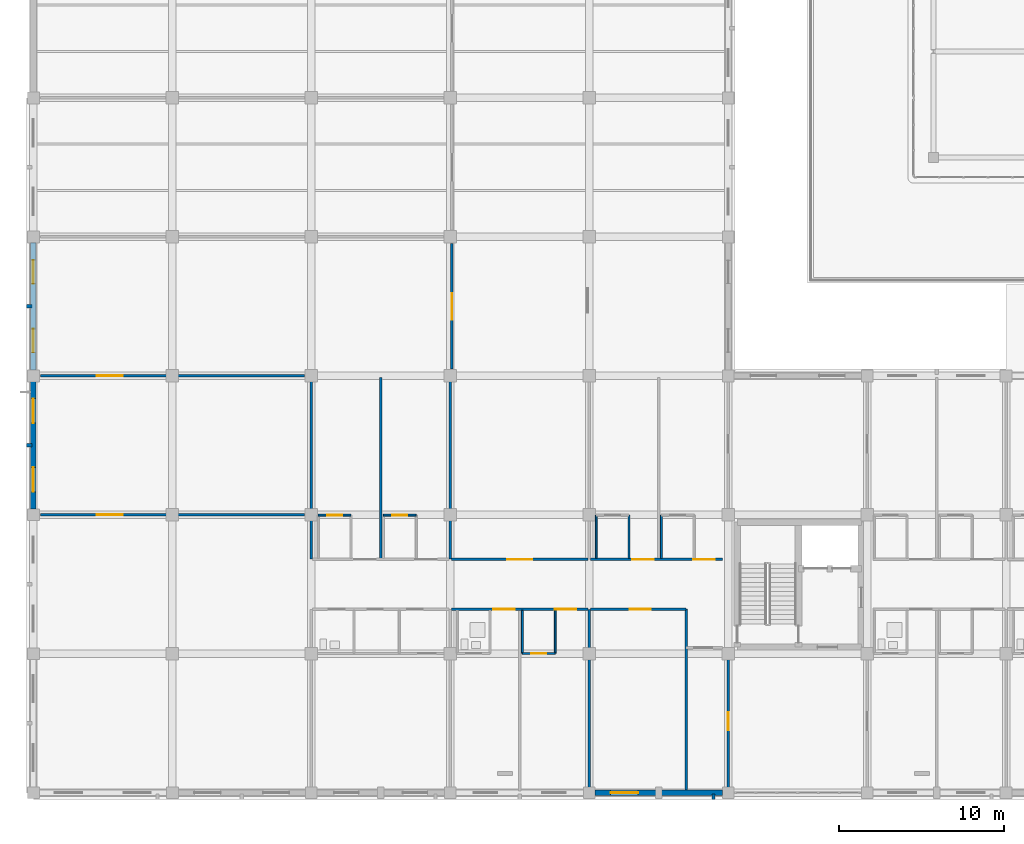
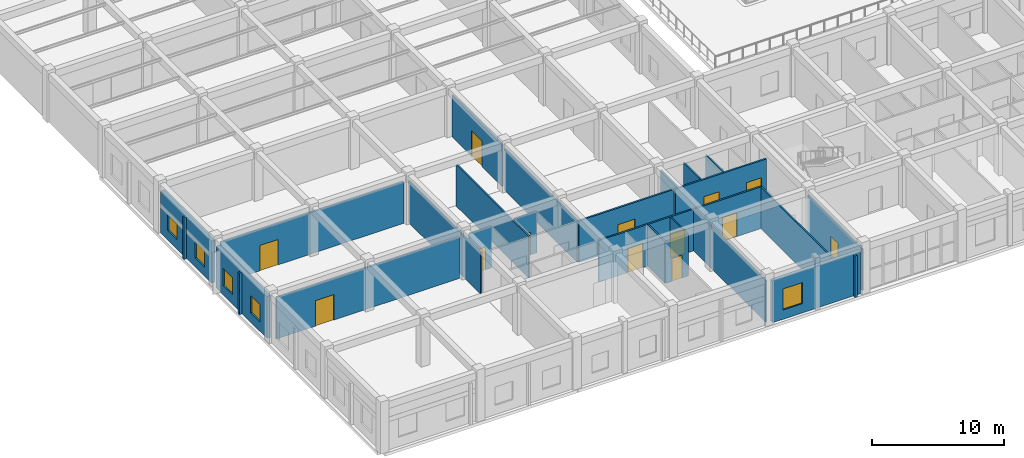
# One storey, part 115 of 158: 27 walls, 13 doors, 5 windows, 18 openings.
"""IFC4 building model written with IfcOpenShell, lengths in metres."""

from ifc_helpers import new_model, si_unit, direction, frame, frame_2d, origin, place, context, subcontext, project, spatial, rectangle, extrude, material, layer, layer_set, type_object, element, fill, save


model = new_model("IFC4")

# Units and contexts
model_context = context("Model", 3, precision=1e-05, world=origin(), true_north=direction((0.0, 1.0)))
body_context = subcontext(model_context, "Body", "Model", "MODEL_VIEW")
ifc_project = project(units=[si_unit("LENGTHUNIT", "METRE"), si_unit("AREAUNIT", "SQUARE_METRE"), si_unit("VOLUMEUNIT", "CUBIC_METRE"), si_unit("PLANEANGLEUNIT", "RADIAN"), si_unit("MASSUNIT", "GRAM", prefix="KILO")], contexts=[model_context])

# Site, building, storey
site_placement = place(None, origin())
site = spatial("IfcSite", under=ifc_project, at=site_placement, CompositionType="ELEMENT")
building_placement = place(site_placement, origin())
building = spatial("IfcBuilding", under=site, at=building_placement, Name="Trelvath General Hospital", CompositionType="ELEMENT")
storey_placement = place(building_placement, frame((0.0, 0.0, 8.10009765625)))
storey = spatial("IfcBuildingStorey", under=building, at=storey_placement, Name="L02", CompositionType="ELEMENT", Elevation=8.10009765625)

# Walls
ifc_material_1 = material(Name="Precast concrete C40/50", Category="concrete")
ifc_layer_1 = layer(ifc_material_1, 0.199951171875)
ifc_layer_set_1 = layer_set([ifc_layer_1], Name="Precast concrete C40/50")
wall_type_1 = type_object("IfcWallType", Name="BriseSoleilRib 200", PredefinedType="ELEMENTEDWALL", material=ifc_layer_set_1)
for number, where, z_axis, x_axis, name in (
    (1, (-0.074951171875, 21.0, 0.0), (0.0, 0.0, 1.0), (-1.0, 0.0, 0.0), "Precast Concrete Brise-Soleil Rib Fin L02-162"),
    (2, (-0.074951171875, 29.39990234375, 0.0), (0.0, 0.0, 1.0), (-1.0, 0.0, 0.0), "Precast Concrete Brise-Soleil Rib Fin L02-163"),
    (3, (41.106689453125, -0.074951171875, 0.0), (0.0, 0.0, 1.0), (0.0, -1.0, 0.0), "Precast Concrete Brise-Soleil Rib Fin L02-179"),
):
    element("IfcWall", number, at=place(storey_placement, frame(where, z_axis=z_axis, x_axis=x_axis)), inside=storey, type_object=wall_type_1, Name=name, PredefinedType="ELEMENTEDWALL", context=body_context, shape_type="SweptSolid", body=[
        extrude(rectangle(XDim=0.340087890625, YDim=0.199951171875, at=frame_2d((0.169921875, 0.0))), origin(), (0.0, 0.0, 1.0), 3.83984375),
    ])

# Wall, openings, doors
ifc_material_2 = material(Name="Gypsum acoustic steel-stud partition", Category="steel")
ifc_layer_2 = layer(ifc_material_2, 0.14990234375)
ifc_layer_set_2 = layer_set([ifc_layer_2], Name="Gypsum acoustic steel-stud partition")
wall_type_2 = type_object("IfcWallType", Name="ClinicalPartition 150", PredefinedType="PARTITIONING", material=ifc_layer_set_2)
wall_1_placement = place(storey_placement, frame((25.280029296875, 11.10009765625, 0.0), z_axis=(0.0, 0.0, 1.0), x_axis=(1.0, 0.0, 0.0)))
wall_1 = element("IfcWall", 4, at=wall_1_placement, inside=storey, type_object=wall_type_2, Name="Corridor Partition L02-692", PredefinedType="PARTITIONING", context=body_context, shape_type="SweptSolid", body=[
    extrude(rectangle(XDim=8.239990234375, YDim=0.14990234375, at=frame_2d((4.1201171875, 0.0))), origin(), (0.0, 0.0, 1.0), 3.83984375),
])
opening_1_placement = place(wall_1_placement, frame((2.530029296875, 0.0, 0.0)))
opening_1 = element("IfcOpeningElement", 5, at=opening_1_placement, cuts=wall_1, Name="Opening D-2-0634", PredefinedType="OPENING", context=body_context, shape_type="SweptSolid", body=[
    extrude(rectangle(XDim=1.300048828125, YDim=2.25, at=frame_2d((0.64990234375, 1.125))), frame((0.0, 0.0849609375, 0.0), z_axis=(0.0, -1.0, 0.0), x_axis=(1.0, 0.0, 0.0)), (0.0, 0.0, 1.0), 0.169921875),
])
opening_2_placement = place(wall_1_placement, frame((6.22998046875, 0.0, 0.0)))
opening_2 = element("IfcOpeningElement", 6, at=opening_2_placement, cuts=wall_1, Name="Opening D-2-0635", PredefinedType="OPENING", context=body_context, shape_type="SweptSolid", body=[
    extrude(rectangle(XDim=1.300048828125, YDim=2.25, at=frame_2d((0.64990234375, 1.125))), frame((0.0, 0.0849609375, 0.0), z_axis=(0.0, -1.0, 0.0), x_axis=(1.0, 0.0, 0.0)), (0.0, 0.0, 1.0), 0.169921875),
])
ifc_material_3 = material(Name="Hospital bed-leaf timber door", Category="wood")
door_type_1 = type_object("IfcDoorType", Name="Door PatientBed 1300x2250", OperationType="NOTDEFINED", PredefinedType="DOOR", material=ifc_material_3)
door_1_placement = place(opening_1_placement, origin())
door_1 = element("IfcDoor", 7, at=door_1_placement, inside=storey, type_object=door_type_1, Name="Patient Room Door L02-634", OperationType="SINGLE_SWING_LEFT", OverallHeight=2.25, OverallWidth=1.300048828125, PredefinedType="DOOR", context=body_context, shape_type="SweptSolid", body=[
    extrude(rectangle(XDim=1.300048828125, YDim=2.25, at=frame_2d((0.64990234375, 1.125))), frame((0.0, 0.02490234375, 0.0), z_axis=(0.0, -1.0, 0.0), x_axis=(1.0, 0.0, 0.0)), (0.0, 0.0, 1.0), 0.050048828125),
])
fill(opening_1, door_1)
door_2_placement = place(opening_2_placement, origin())
door_2 = element("IfcDoor", 8, at=door_2_placement, inside=storey, type_object=door_type_1, Name="Patient Room Door L02-635", OperationType="SINGLE_SWING_RIGHT", OverallHeight=2.25, OverallWidth=1.300048828125, PredefinedType="DOOR", context=body_context, shape_type="SweptSolid", body=[
    extrude(rectangle(XDim=1.300048828125, YDim=2.25, at=frame_2d((0.64990234375, 1.125))), frame((0.0, 0.02490234375, 0.0), z_axis=(0.0, -1.0, 0.0), x_axis=(1.0, 0.0, 0.0)), (0.0, 0.0, 1.0), 0.050048828125),
])
fill(opening_2, door_2)

# Wall, opening, door
wall_2_placement = place(storey_placement, frame((33.52001953125, 14.10009765625, 0.0), z_axis=(0.0, 0.0, 1.0), x_axis=(-1.0, 0.0, 0.0)))
wall_2 = element("IfcWall", 9, at=wall_2_placement, inside=storey, type_object=wall_type_2, Name="Corridor Partition N L02-701", PredefinedType="PARTITIONING", context=body_context, shape_type="SweptSolid", body=[
    extrude(rectangle(XDim=8.239990234375, YDim=0.14990234375, at=frame_2d((4.1201171875, 0.0))), origin(), (0.0, 0.0, 1.0), 3.83984375),
])
opening_3_placement = place(wall_2_placement, frame((3.3701171875, 0.0, 0.0)))
opening_3 = element("IfcOpeningElement", 10, at=opening_3_placement, cuts=wall_2, Name="Opening D-2-0638", PredefinedType="OPENING", context=body_context, shape_type="SweptSolid", body=[
    extrude(rectangle(XDim=1.5, YDim=2.300048828125, at=frame_2d((0.75, 1.14990234375))), frame((0.0, 0.0849609375, 0.0), z_axis=(0.0, -1.0, 0.0), x_axis=(1.0, 0.0, 0.0)), (0.0, 0.0, 1.0), 0.169921875),
])
ifc_material_4 = material(Name="Glazed aluminium ICU sliding door", Category="aluminium")
door_type_2 = type_object("IfcDoorType", Name="Door ICUSliding 1500x2300", OperationType="SLIDING_TO_LEFT", PredefinedType="DOOR", material=ifc_material_4)
door_3_placement = place(opening_3_placement, origin())
door_3 = element("IfcDoor", 11, at=door_3_placement, inside=storey, type_object=door_type_2, Name="Clinical Room Door L02-638", OperationType="SLIDING_TO_LEFT", OverallHeight=2.300048828125, OverallWidth=1.5, PredefinedType="DOOR", context=body_context, shape_type="SweptSolid", body=[
    extrude(rectangle(XDim=1.5, YDim=2.300048828125, at=frame_2d((0.75, 1.14990234375))), frame((0.0, 0.02490234375, 0.0), z_axis=(0.0, -1.0, 0.0), x_axis=(1.0, 0.0, 0.0)), (0.0, 0.0, 1.0), 0.050048828125),
])
fill(opening_3, door_3)

wall_3_placement = place(storey_placement, frame((33.679931640625, 11.10009765625, 0.0), z_axis=(0.0, 0.0, 1.0), x_axis=(1.0, 0.0, 0.0)))
wall_3 = element("IfcWall", 12, at=wall_3_placement, inside=storey, type_object=wall_type_2, Name="Nurse Station Partition L02-704", PredefinedType="PARTITIONING", context=body_context, shape_type="SweptSolid", body=[
    extrude(rectangle(XDim=5.780029296875, YDim=0.14990234375, at=frame_2d((2.89013671875, 0.0))), origin(), (0.0, 0.0, 1.0), 3.83984375),
])
opening_4_placement = place(wall_3_placement, frame((2.3798828125, 0.0, 0.0)))
opening_4 = element("IfcOpeningElement", 13, at=opening_4_placement, cuts=wall_3, Name="Opening D-2-0639", PredefinedType="OPENING", context=body_context, shape_type="SweptSolid", body=[
    extrude(rectangle(XDim=1.25, YDim=2.199951171875, at=frame_2d((0.625, 1.10009765625))), frame((0.0, 0.0849609375, 0.0), z_axis=(0.0, -1.0, 0.0), x_axis=(1.0, 0.0, 0.0)), (0.0, 0.0, 1.0), 0.169921875),
])
ifc_material_5 = material(Name="Acoustic hospital timber leaf", Category="wood")
door_type_3 = type_object("IfcDoorType", Name="Door Treatment 1250x2200", OperationType="NOTDEFINED", PredefinedType="DOOR", material=ifc_material_5)
door_4_placement = place(opening_4_placement, origin())
door_4 = element("IfcDoor", 14, at=door_4_placement, inside=storey, type_object=door_type_3, Name="Nurse Station Door L02-639", OperationType="SINGLE_SWING_LEFT", OverallHeight=2.199951171875, OverallWidth=1.25, PredefinedType="DOOR", context=body_context, shape_type="SweptSolid", body=[
    extrude(rectangle(XDim=1.25, YDim=2.199951171875, at=frame_2d((0.625, 1.10009765625))), frame((0.0, 0.02490234375, 0.0), z_axis=(0.0, -1.0, 0.0), x_axis=(1.0, 0.0, 0.0)), (0.0, 0.0, 1.0), 0.050048828125),
])
fill(opening_4, door_4)

# Wall, openings, doors
wall_4_placement = place(storey_placement, frame((41.639892578125, 14.10009765625, 0.0), z_axis=(0.0, 0.0, 1.0), x_axis=(-1.0, 0.0, 0.0)))
wall_4 = element("IfcWall", 15, at=wall_4_placement, inside=storey, type_object=wall_type_2, Name="Corridor Partition N L02-707", PredefinedType="PARTITIONING", context=body_context, shape_type="SweptSolid", body=[
    extrude(rectangle(XDim=7.9599609375, YDim=0.14990234375, at=frame_2d((3.97998046875, 0.0))), origin(), (0.0, 0.0, 1.0), 3.83984375),
])
opening_5_placement = place(wall_4_placement, frame((0.449951171875, 0.0, 0.0)))
opening_5 = element("IfcOpeningElement", 16, at=opening_5_placement, cuts=wall_4, Name="Opening D-2-0641", PredefinedType="OPENING", context=body_context, shape_type="SweptSolid", body=[
    extrude(rectangle(XDim=1.300048828125, YDim=2.25, at=frame_2d((0.64990234375, 1.125))), frame((0.0, 0.0849609375, 0.0), z_axis=(0.0, -1.0, 0.0), x_axis=(1.0, 0.0, 0.0)), (0.0, 0.0, 1.0), 0.169921875),
])
opening_6_placement = place(wall_4_placement, frame((4.14990234375, 0.0, 0.0)))
opening_6 = element("IfcOpeningElement", 17, at=opening_6_placement, cuts=wall_4, Name="Opening D-2-0642", PredefinedType="OPENING", context=body_context, shape_type="SweptSolid", body=[
    extrude(rectangle(XDim=1.300048828125, YDim=2.25, at=frame_2d((0.64990234375, 1.125))), frame((0.0, 0.0849609375, 0.0), z_axis=(0.0, -1.0, 0.0), x_axis=(1.0, 0.0, 0.0)), (0.0, 0.0, 1.0), 0.169921875),
])
door_5_placement = place(opening_5_placement, origin())
door_5 = element("IfcDoor", 18, at=door_5_placement, inside=storey, type_object=door_type_1, Name="Patient Room Door N L02-641", OperationType="SINGLE_SWING_LEFT", OverallHeight=2.25, OverallWidth=1.300048828125, PredefinedType="DOOR", context=body_context, shape_type="SweptSolid", body=[
    extrude(rectangle(XDim=1.300048828125, YDim=2.25, at=frame_2d((0.64990234375, 1.125))), frame((0.0, 0.02490234375, 0.0), z_axis=(0.0, -1.0, 0.0), x_axis=(1.0, 0.0, 0.0)), (0.0, 0.0, 1.0), 0.050048828125),
])
fill(opening_5, door_5)
door_6_placement = place(opening_6_placement, origin())
door_6 = element("IfcDoor", 19, at=door_6_placement, inside=storey, type_object=door_type_1, Name="Patient Room Door N L02-642", OperationType="SINGLE_SWING_LEFT", OverallHeight=2.25, OverallWidth=1.300048828125, PredefinedType="DOOR", context=body_context, shape_type="SweptSolid", body=[
    extrude(rectangle(XDim=1.300048828125, YDim=2.25, at=frame_2d((0.64990234375, 1.125))), frame((0.0, 0.02490234375, 0.0), z_axis=(0.0, -1.0, 0.0), x_axis=(1.0, 0.0, 0.0)), (0.0, 0.0, 1.0), 0.050048828125),
])
fill(opening_6, door_6)

# Wall, opening, door
wall_5_placement = place(storey_placement, frame((0.419921875, 16.800048828125, 0.0), z_axis=(0.0, 0.0, 1.0), x_axis=(1.0, 0.0, 0.0)))
wall_5 = element("IfcWall", 20, at=wall_5_placement, inside=storey, type_object=wall_type_2, Name="OR-1 Partition L02-1025", PredefinedType="PARTITIONING", context=body_context, shape_type="SweptSolid", body=[
    extrude(rectangle(XDim=15.9599609375, YDim=0.14990234375, at=frame_2d((7.97998046875, 0.0))), origin(), (0.0, 0.0, 1.0), 3.83984375),
])
opening_7_placement = place(wall_5_placement, frame((3.39990234375, 0.0, 0.0)))
opening_7 = element("IfcOpeningElement", 21, at=opening_7_placement, cuts=wall_5, Name="Opening D-2-0796", PredefinedType="OPENING", context=body_context, shape_type="SweptSolid", body=[
    extrude(rectangle(XDim=1.60009765625, YDim=2.35009765625, at=frame_2d((0.800048828125, 1.175048828125))), frame((0.0, 0.0849609375, 0.0), z_axis=(0.0, -1.0, 0.0), x_axis=(1.0, 0.0, 0.0)), (0.0, 0.0, 1.0), 0.169921875),
])
ifc_material_6 = material(Name="Hermetic stainless surgical sliding door")
door_type_4 = type_object("IfcDoorType", Name="Door ORHermetic 1600x2350", OperationType="SLIDING_TO_LEFT", PredefinedType="DOOR", material=ifc_material_6)
door_7_placement = place(opening_7_placement, origin())
door_7 = element("IfcDoor", 22, at=door_7_placement, inside=storey, type_object=door_type_4, Name="OR-1 Door L02-796", OperationType="SLIDING_TO_LEFT", OverallHeight=2.35009765625, OverallWidth=1.60009765625, PredefinedType="DOOR", context=body_context, shape_type="SweptSolid", body=[
    extrude(rectangle(XDim=1.60009765625, YDim=2.35009765625, at=frame_2d((0.800048828125, 1.175048828125))), frame((0.0, 0.02490234375, 0.0), z_axis=(0.0, -1.0, 0.0), x_axis=(1.0, 0.0, 0.0)), (0.0, 0.0, 1.0), 0.050048828125),
])
fill(opening_7, door_7)

wall_6_placement = place(storey_placement, frame((0.419921875, 25.199951171875, 0.0), z_axis=(0.0, 0.0, 1.0), x_axis=(1.0, 0.0, 0.0)))
wall_6 = element("IfcWall", 23, at=wall_6_placement, inside=storey, type_object=wall_type_2, Name="OR-2 Partition L02-1026", PredefinedType="PARTITIONING", context=body_context, shape_type="SweptSolid", body=[
    extrude(rectangle(XDim=15.9599609375, YDim=0.14990234375, at=frame_2d((7.97998046875, 0.0))), origin(), (0.0, 0.0, 1.0), 3.83984375),
])
opening_8_placement = place(wall_6_placement, frame((3.39990234375, 0.0, 0.0)))
opening_8 = element("IfcOpeningElement", 24, at=opening_8_placement, cuts=wall_6, Name="Opening D-2-0797", PredefinedType="OPENING", context=body_context, shape_type="SweptSolid", body=[
    extrude(rectangle(XDim=1.60009765625, YDim=2.35009765625, at=frame_2d((0.800048828125, 1.175048828125))), frame((0.0, 0.0849609375, 0.0), z_axis=(0.0, -1.0, 0.0), x_axis=(1.0, 0.0, 0.0)), (0.0, 0.0, 1.0), 0.169921875),
])
door_8_placement = place(opening_8_placement, origin())
door_8 = element("IfcDoor", 25, at=door_8_placement, inside=storey, type_object=door_type_4, Name="OR-2 Door L02-797", OperationType="SLIDING_TO_LEFT", OverallHeight=2.35009765625, OverallWidth=1.60009765625, PredefinedType="DOOR", context=body_context, shape_type="SweptSolid", body=[
    extrude(rectangle(XDim=1.60009765625, YDim=2.35009765625, at=frame_2d((0.800048828125, 1.175048828125))), frame((0.0, 0.02490234375, 0.0), z_axis=(0.0, -1.0, 0.0), x_axis=(1.0, 0.0, 0.0)), (0.0, 0.0, 1.0), 0.050048828125),
])
fill(opening_8, door_8)

wall_7_placement = place(storey_placement, frame((25.300048828125, 25.60009765625, 0.0), z_axis=(0.0, 0.0, 1.0), x_axis=(0.0, 1.0, 0.0)))
wall_7 = element("IfcWall", 26, at=wall_7_placement, inside=storey, type_object=wall_type_2, Name="OR-3 Partition L02-1027", PredefinedType="PARTITIONING", context=body_context, shape_type="SweptSolid", body=[
    extrude(rectangle(XDim=7.599853515625, YDim=0.14990234375, at=frame_2d((3.7998046875, 0.0))), origin(), (0.0, 0.0, 1.0), 3.83984375),
])
opening_9_placement = place(wall_7_placement, frame((3.0, 0.0, 0.0)))
opening_9 = element("IfcOpeningElement", 27, at=opening_9_placement, cuts=wall_7, Name="Opening D-2-0798", PredefinedType="OPENING", context=body_context, shape_type="SweptSolid", body=[
    extrude(rectangle(XDim=1.60009765625, YDim=2.35009765625, at=frame_2d((0.800048828125, 1.175048828125))), frame((0.0, 0.0849609375, 0.0), z_axis=(0.0, -1.0, 0.0), x_axis=(1.0, 0.0, 0.0)), (0.0, 0.0, 1.0), 0.169921875),
])
door_9_placement = place(opening_9_placement, origin())
door_9 = element("IfcDoor", 28, at=door_9_placement, inside=storey, type_object=door_type_4, Name="OR-3 Door L02-798", OperationType="SLIDING_TO_LEFT", OverallHeight=2.35009765625, OverallWidth=1.60009765625, PredefinedType="DOOR", context=body_context, shape_type="SweptSolid", body=[
    extrude(rectangle(XDim=1.60009765625, YDim=2.35009765625, at=frame_2d((0.800048828125, 1.175048828125))), frame((0.0, 0.02490234375, 0.0), z_axis=(0.0, -1.0, 0.0), x_axis=(1.0, 0.0, 0.0)), (0.0, 0.0, 1.0), 0.050048828125),
])
fill(opening_9, door_9)

ifc_material_7 = material(Name="Moisture-resistant tile partition")
ifc_layer_3 = layer(ifc_material_7, 0.110107421875)
ifc_layer_set_3 = layer_set([ifc_layer_3], Name="Moisture-resistant tile partition")
wall_type_3 = type_object("IfcWallType", Name="EnSuiteWetWall 110", PredefinedType="PARTITIONING", material=ifc_layer_set_3)
wall_8_placement = place(storey_placement, frame((17.219970703125, 16.780029296875, 0.0), z_axis=(0.0, 0.0, 1.0), x_axis=(1.0, 0.0, 0.0)))
wall_8 = element("IfcWall", 29, at=wall_8_placement, inside=storey, type_object=wall_type_3, Name="En-Suite Bathroom N Partition L02-686", PredefinedType="PARTITIONING", context=body_context, shape_type="SweptSolid", body=[
    extrude(rectangle(XDim=1.97998046875, YDim=0.110107421875, at=frame_2d((0.989990234375, 0.0))), origin(), (0.0, 0.0, 1.0), 3.83984375),
])
opening_10_placement = place(wall_8_placement, frame((0.5400390625, 0.0, 0.0)))
opening_10 = element("IfcOpeningElement", 30, at=opening_10_placement, cuts=wall_8, Name="Opening D-2-0632", PredefinedType="OPENING", context=body_context, shape_type="SweptSolid", body=[
    extrude(rectangle(XDim=0.89990234375, YDim=2.10009765625, at=frame_2d((0.449951171875, 1.050048828125))), frame((0.0, 0.06494140625, 0.0), z_axis=(0.0, -1.0, 0.0), x_axis=(1.0, 0.0, 0.0)), (0.0, 0.0, 1.0), 0.130126953125),
])
ifc_material_8 = material(Name="Moisture-sealed timber leaf", Category="wood")
door_type_5 = type_object("IfcDoorType", Name="Door EnSuite 900x2100", OperationType="NOTDEFINED", PredefinedType="DOOR", material=ifc_material_8)
door_10_placement = place(opening_10_placement, origin())
door_10 = element("IfcDoor", 31, at=door_10_placement, inside=storey, type_object=door_type_5, Name="En-Suite Bathroom N Door L02-632", OperationType="SINGLE_SWING_LEFT", OverallHeight=2.10009765625, OverallWidth=0.89990234375, PredefinedType="DOOR", context=body_context, shape_type="SweptSolid", body=[
    extrude(rectangle(XDim=0.89990234375, YDim=2.10009765625, at=frame_2d((0.449951171875, 1.050048828125))), frame((0.0, 0.02490234375, 0.0), z_axis=(0.0, -1.0, 0.0), x_axis=(1.0, 0.0, 0.0)), (0.0, 0.0, 1.0), 0.050048828125),
])
fill(opening_10, door_10)

wall_9_placement = place(storey_placement, frame((21.159912109375, 16.780029296875, 0.0), z_axis=(0.0, 0.0, 1.0), x_axis=(1.0, 0.0, 0.0)))
wall_9 = element("IfcWall", 32, at=wall_9_placement, inside=storey, type_object=wall_type_3, Name="En-Suite Bathroom N Partition L02-689", PredefinedType="PARTITIONING", context=body_context, shape_type="SweptSolid", body=[
    extrude(rectangle(XDim=1.97998046875, YDim=0.110107421875, at=frame_2d((0.989990234375, 0.0))), origin(), (0.0, 0.0, 1.0), 3.83984375),
])
opening_11_placement = place(wall_9_placement, frame((0.5400390625, 0.0, 0.0)))
opening_11 = element("IfcOpeningElement", 33, at=opening_11_placement, cuts=wall_9, Name="Opening D-2-0633", PredefinedType="OPENING", context=body_context, shape_type="SweptSolid", body=[
    extrude(rectangle(XDim=0.89990234375, YDim=2.10009765625, at=frame_2d((0.449951171875, 1.050048828125))), frame((0.0, 0.06494140625, 0.0), z_axis=(0.0, -1.0, 0.0), x_axis=(1.0, 0.0, 0.0)), (0.0, 0.0, 1.0), 0.130126953125),
])
door_11_placement = place(opening_11_placement, origin())
door_11 = element("IfcDoor", 34, at=door_11_placement, inside=storey, type_object=door_type_5, Name="En-Suite Bathroom N Door L02-633", OperationType="SINGLE_SWING_RIGHT", OverallHeight=2.10009765625, OverallWidth=0.89990234375, PredefinedType="DOOR", context=body_context, shape_type="SweptSolid", body=[
    extrude(rectangle(XDim=0.89990234375, YDim=2.10009765625, at=frame_2d((0.449951171875, 1.050048828125))), frame((0.0, 0.02490234375, 0.0), z_axis=(0.0, -1.0, 0.0), x_axis=(1.0, 0.0, 0.0)), (0.0, 0.0, 1.0), 0.050048828125),
])
fill(opening_11, door_11)

# Walls
for number, where, z_axis, x_axis, name in (
    (35, (29.56005859375, 8.419921875, 0.0), (0.0, 0.0, 1.0), (0.0, 1.0, 0.0), "En-Suite W Wall L02-697"),
    (36, (31.5400390625, 8.419921875, 0.0), (0.0, 0.0, 1.0), (0.0, 1.0, 0.0), "En-Suite E Wall L02-698"),
):
    element("IfcWall", number, at=place(storey_placement, frame(where, z_axis=z_axis, x_axis=x_axis)), inside=storey, type_object=wall_type_3, Name=name, PredefinedType="PARTITIONING", context=body_context, shape_type="SweptSolid", body=[
        extrude(rectangle(XDim=2.610107421875, YDim=0.110107421875, at=frame_2d((1.30517578125, 0.0))), origin(), (0.0, 0.0, 1.0), 3.83984375),
    ])

# Wall, opening, door
wall_10_placement = place(storey_placement, frame((29.56005859375, 8.419921875, 0.0), z_axis=(0.0, 0.0, 1.0), x_axis=(1.0, 0.0, 0.0)))
wall_10 = element("IfcWall", 37, at=wall_10_placement, inside=storey, type_object=wall_type_3, Name="En-Suite Bathroom Partition L02-699", PredefinedType="PARTITIONING", context=body_context, shape_type="SweptSolid", body=[
    extrude(rectangle(XDim=1.97998046875, YDim=0.110107421875, at=frame_2d((0.989990234375, 0.0))), origin(), (0.0, 0.0, 1.0), 3.83984375),
])
opening_12_placement = place(wall_10_placement, frame((0.5400390625, 0.0, 0.0)))
opening_12 = element("IfcOpeningElement", 38, at=opening_12_placement, cuts=wall_10, Name="Opening D-2-0637", PredefinedType="OPENING", context=body_context, shape_type="SweptSolid", body=[
    extrude(rectangle(XDim=0.89990234375, YDim=2.10009765625, at=frame_2d((0.449951171875, 1.050048828125))), frame((0.0, 0.06494140625, 0.0), z_axis=(0.0, -1.0, 0.0), x_axis=(1.0, 0.0, 0.0)), (0.0, 0.0, 1.0), 0.130126953125),
])
door_12_placement = place(opening_12_placement, origin())
door_12 = element("IfcDoor", 39, at=door_12_placement, inside=storey, type_object=door_type_5, Name="En-Suite Bathroom Door L02-637", OperationType="SINGLE_SWING_RIGHT", OverallHeight=2.10009765625, OverallWidth=0.89990234375, PredefinedType="DOOR", context=body_context, shape_type="SweptSolid", body=[
    extrude(rectangle(XDim=0.89990234375, YDim=2.10009765625, at=frame_2d((0.449951171875, 1.050048828125))), frame((0.0, 0.02490234375, 0.0), z_axis=(0.0, -1.0, 0.0), x_axis=(1.0, 0.0, 0.0)), (0.0, 0.0, 1.0), 0.050048828125),
])
fill(opening_12, door_12)

# Walls
for number, where, z_axis, x_axis, name in (
    (40, (34.02001953125, 14.169921875, 0.0), (0.0, 0.0, 1.0), (0.0, 1.0, 0.0), "En-Suite W Wall N L02-709"),
    (41, (36.0, 14.169921875, 0.0), (0.0, 0.0, 1.0), (0.0, 1.0, 0.0), "En-Suite E Wall N L02-710"),
    (42, (37.9599609375, 14.169921875, 0.0), (0.0, 0.0, 1.0), (0.0, 1.0, 0.0), "En-Suite W Wall N L02-712"),
):
    element("IfcWall", number, at=place(storey_placement, frame(where, z_axis=z_axis, x_axis=x_axis)), inside=storey, type_object=wall_type_3, Name=name, PredefinedType="PARTITIONING", context=body_context, shape_type="SweptSolid", body=[
        extrude(rectangle(XDim=2.610107421875, YDim=0.110107421875, at=frame_2d((1.30517578125, 0.0))), origin(), (0.0, 0.0, 1.0), 3.83984375),
    ])

# Wall, openings, windows
ifc_material_9 = material(Name="Concrete C35/45", Category="concrete")
ifc_layer_4 = layer(ifc_material_9, 0.320068359375)
ifc_layer_set_4 = layer_set([ifc_layer_4], Name="Concrete C35/45")
wall_type_4 = type_object("IfcWallType", Name="ExtThermalWall 320", PredefinedType="SOLIDWALL", material=ifc_layer_set_4)
wall_11_placement = place(storey_placement, frame((0.0, 17.155029296875, 0.0), z_axis=(0.0, 0.0, 1.0), x_axis=(0.0, 1.0, 0.0)))
wall_11 = element("IfcWall", 43, at=wall_11_placement, inside=storey, type_object=wall_type_4, Name="Exterior Concrete Wall L02-223", PredefinedType="SOLIDWALL", context=body_context, shape_type="SweptSolid", body=[
    extrude(rectangle(XDim=7.68994140625, YDim=0.320068359375, at=frame_2d((3.844970703125, 0.0))), origin(), (0.0, 0.0, 1.0), 3.85986328125),
])
opening_13_placement = place(wall_11_placement, frame((1.02880859375, 0.0, 0.85009765625)))
opening_13 = element("IfcOpeningElement", 44, at=opening_13_placement, cuts=wall_11, Name="Opening WN-2-347", PredefinedType="OPENING", context=body_context, shape_type="SweptSolid", body=[
    extrude(rectangle(XDim=1.47998046875, YDim=1.60009765625, at=frame_2d((0.739990234375, 0.800048828125))), frame((0.0, 0.169921875, 0.0), z_axis=(0.0, -1.0, 0.0), x_axis=(1.0, 0.0, 0.0)), (0.0, 0.0, 1.0), 0.340087890625),
])
opening_14_placement = place(wall_11_placement, frame((5.181396484375, 0.0, 0.85009765625)))
opening_14 = element("IfcOpeningElement", 45, at=opening_14_placement, cuts=wall_11, Name="Opening WN-2-348", PredefinedType="OPENING", context=body_context, shape_type="SweptSolid", body=[
    extrude(rectangle(XDim=1.47998046875, YDim=1.60009765625, at=frame_2d((0.739990234375, 0.800048828125))), frame((0.0, 0.169921875, 0.0), z_axis=(0.0, -1.0, 0.0), x_axis=(1.0, 0.0, 0.0)), (0.0, 0.0, 1.0), 0.340087890625),
])
ifc_material_10 = material(Name="Low-E laminated glass", Category="glass")
window_type_1 = type_object("IfcWindowType", Name="Window Clinic 1480x1600", PartitioningType="DOUBLE_PANEL_VERTICAL", PredefinedType="WINDOW", material=ifc_material_10)
window_1_placement = place(opening_13_placement, origin())
window_1 = element("IfcWindow", 46, at=window_1_placement, inside=storey, type_object=window_type_1, Name="Solar Reveal Window L02-347", OverallHeight=1.60009765625, OverallWidth=1.47998046875, PartitioningType="SINGLE_PANEL", PredefinedType="WINDOW", context=body_context, shape_type="SweptSolid", body=[
    extrude(rectangle(XDim=1.47998046875, YDim=1.60009765625, at=frame_2d((0.739990234375, 0.800048828125))), frame((0.0, 0.030029296875, 0.0), z_axis=(0.0, -1.0, 0.0), x_axis=(1.0, 0.0, 0.0)), (0.0, 0.0, 1.0), 0.06005859375),
])
fill(opening_13, window_1)
window_2_placement = place(opening_14_placement, origin())
window_2 = element("IfcWindow", 47, at=window_2_placement, inside=storey, type_object=window_type_1, Name="Solar Reveal Window L02-348", OverallHeight=1.60009765625, OverallWidth=1.47998046875, PartitioningType="SINGLE_PANEL", PredefinedType="WINDOW", context=body_context, shape_type="SweptSolid", body=[
    extrude(rectangle(XDim=1.47998046875, YDim=1.60009765625, at=frame_2d((0.739990234375, 0.800048828125))), frame((0.0, 0.030029296875, 0.0), z_axis=(0.0, -1.0, 0.0), x_axis=(1.0, 0.0, 0.0)), (0.0, 0.0, 1.0), 0.06005859375),
])
fill(opening_14, window_2)

wall_12_placement = place(storey_placement, frame((0.0, 25.554931640625, 0.0), z_axis=(0.0, 0.0, 1.0), x_axis=(0.0, 1.0, 0.0)))
wall_12 = element("IfcWall", 48, at=wall_12_placement, inside=storey, type_object=wall_type_4, Name="Exterior Concrete Wall L02-224", PredefinedType="SOLIDWALL", context=body_context, shape_type="SweptSolid", body=[
    extrude(rectangle(XDim=7.690185546875, YDim=0.320068359375, at=frame_2d((3.84521484375, 0.0))), origin(), (0.0, 0.0, 1.0), 3.85986328125),
])
opening_15_placement = place(wall_12_placement, frame((1.05859375, 0.0, 0.85009765625)))
opening_15 = element("IfcOpeningElement", 49, at=opening_15_placement, cuts=wall_12, Name="Opening WN-2-349", PredefinedType="OPENING", context=body_context, shape_type="SweptSolid", body=[
    extrude(rectangle(XDim=1.419921875, YDim=1.449951171875, at=frame_2d((0.7099609375, 0.72509765625))), frame((0.0, 0.169921875, 0.0), z_axis=(0.0, -1.0, 0.0), x_axis=(1.0, 0.0, 0.0)), (0.0, 0.0, 1.0), 0.340087890625),
])
opening_16_placement = place(wall_12_placement, frame((5.211181640625, 0.0, 0.85009765625)))
opening_16 = element("IfcOpeningElement", 50, at=opening_16_placement, cuts=wall_12, Name="Opening WN-2-350", PredefinedType="OPENING", context=body_context, shape_type="SweptSolid", body=[
    extrude(rectangle(XDim=1.419921875, YDim=1.449951171875, at=frame_2d((0.7099609375, 0.72509765625))), frame((0.0, 0.169921875, 0.0), z_axis=(0.0, -1.0, 0.0), x_axis=(1.0, 0.0, 0.0)), (0.0, 0.0, 1.0), 0.340087890625),
])
ifc_material_11 = material(Name="Low-E laminated glass", Category="glass")
window_type_2 = type_object("IfcWindowType", Name="Window Lab 1420x1450", PartitioningType="DOUBLE_PANEL_VERTICAL", PredefinedType="WINDOW", material=ifc_material_11)
window_3_placement = place(opening_15_placement, origin())
window_3 = element("IfcWindow", 51, at=window_3_placement, inside=storey, type_object=window_type_2, Name="Solar Reveal Window L02-349", OverallHeight=1.449951171875, OverallWidth=1.419921875, PartitioningType="SINGLE_PANEL", PredefinedType="WINDOW", context=body_context, shape_type="SweptSolid", body=[
    extrude(rectangle(XDim=1.419921875, YDim=1.449951171875, at=frame_2d((0.7099609375, 0.72509765625))), frame((0.0, 0.030029296875, 0.0), z_axis=(0.0, -1.0, 0.0), x_axis=(1.0, 0.0, 0.0)), (0.0, 0.0, 1.0), 0.06005859375),
])
fill(opening_15, window_3)
window_4_placement = place(opening_16_placement, origin())
window_4 = element("IfcWindow", 52, at=window_4_placement, inside=storey, type_object=window_type_2, Name="Solar Reveal Window L02-350", OverallHeight=1.449951171875, OverallWidth=1.419921875, PartitioningType="SINGLE_PANEL", PredefinedType="WINDOW", context=body_context, shape_type="SweptSolid", body=[
    extrude(rectangle(XDim=1.419921875, YDim=1.449951171875, at=frame_2d((0.7099609375, 0.72509765625))), frame((0.0, 0.030029296875, 0.0), z_axis=(0.0, -1.0, 0.0), x_axis=(1.0, 0.0, 0.0)), (0.0, 0.0, 1.0), 0.06005859375),
])
fill(opening_16, window_4)

# Wall, opening, window
wall_13_placement = place(storey_placement, frame((41.64501953125, 0.0, 0.0), z_axis=(0.0, 0.0, 1.0), x_axis=(-1.0, 0.0, 0.0)))
wall_13 = element("IfcWall", 53, at=wall_13_placement, inside=storey, type_object=wall_type_4, Name="Exterior Concrete Wall L02-242", PredefinedType="SOLIDWALL", context=body_context, shape_type="SweptSolid", body=[
    extrude(rectangle(XDim=7.68994140625, YDim=0.320068359375, at=frame_2d((3.844970703125, 0.0))), origin(), (0.0, 0.0, 1.0), 3.85986328125),
])
opening_17_placement = place(wall_13_placement, frame((5.09130859375, 0.0, 0.85009765625)))
opening_17 = element("IfcOpeningElement", 54, at=opening_17_placement, cuts=wall_13, Name="Opening WN-2-382", PredefinedType="OPENING", context=body_context, shape_type="SweptSolid", body=[
    extrude(rectangle(XDim=1.659912109375, YDim=1.949951171875, at=frame_2d((0.830078125, 0.97509765625))), frame((0.0, 0.169921875, 0.0), z_axis=(0.0, -1.0, 0.0), x_axis=(1.0, 0.0, 0.0)), (0.0, 0.0, 1.0), 0.340087890625),
])
ifc_material_12 = material(Name="Low-E laminated glass", Category="glass")
window_type_3 = type_object("IfcWindowType", Name="Window Dayroom 1660x1950", PartitioningType="DOUBLE_PANEL_VERTICAL", PredefinedType="WINDOW", material=ifc_material_12)
window_5_placement = place(opening_17_placement, origin())
window_5 = element("IfcWindow", 55, at=window_5_placement, inside=storey, type_object=window_type_3, Name="Solar Reveal Window L02-382", OverallHeight=1.949951171875, OverallWidth=1.659912109375, PartitioningType="SINGLE_PANEL", PredefinedType="WINDOW", context=body_context, shape_type="SweptSolid", body=[
    extrude(rectangle(XDim=1.659912109375, YDim=1.949951171875, at=frame_2d((0.830078125, 0.97509765625))), frame((0.0, 0.030029296875, 0.0), z_axis=(0.0, -1.0, 0.0), x_axis=(1.0, 0.0, 0.0)), (0.0, 0.0, 1.0), 0.06005859375),
])
fill(opening_17, window_5)

# Walls
ifc_material_13 = material(Name="Gypsum acoustic steel-stud partition", Category="steel")
ifc_layer_5 = layer(ifc_material_13, 0.1298828125)
ifc_layer_set_5 = layer_set([ifc_layer_5], Name="Gypsum acoustic steel-stud partition")
wall_type_5 = type_object("IfcWallType", Name="WardPartition 130", PredefinedType="PARTITIONING", material=ifc_layer_set_5)
wall_14_placement = place(storey_placement, frame((16.800048828125, 14.1201171875, 0.0), z_axis=(0.0, 0.0, 1.0), x_axis=(0.0, 1.0, 0.0)))
element("IfcWall", 56, at=wall_14_placement, inside=storey, type_object=wall_type_5, Name="Inter-Bay Ward Partition N L02-677", PredefinedType="PARTITIONING", context=body_context, shape_type="SweptSolid", body=[
    extrude(rectangle(XDim=10.93994140625, YDim=0.1298828125, at=frame_2d((5.469970703125, 0.0))), origin(), (0.0, 0.0, 1.0), 3.83984375),
])
wall_15_placement = place(storey_placement, frame((21.0, 14.169921875, 0.0), z_axis=(0.0, 0.0, 1.0), x_axis=(0.0, 1.0, 0.0)))
element("IfcWall", 57, at=wall_15_placement, inside=storey, type_object=wall_type_5, Name="Room Dividing Partition N L02-683", PredefinedType="PARTITIONING", context=body_context, shape_type="SweptSolid", body=[
    extrude(rectangle(XDim=10.93017578125, YDim=0.1298828125, at=frame_2d((5.465087890625, 0.0))), origin(), (0.0, 0.0, 1.0), 3.83984375),
])
wall_16_placement = place(storey_placement, frame((25.199951171875, 14.1201171875, 0.0), z_axis=(0.0, 0.0, 1.0), x_axis=(0.0, 1.0, 0.0)))
element("IfcWall", 58, at=wall_16_placement, inside=storey, type_object=wall_type_5, Name="Inter-Bay Ward Partition N L02-691", PredefinedType="PARTITIONING", context=body_context, shape_type="SweptSolid", body=[
    extrude(rectangle(XDim=10.93994140625, YDim=0.1298828125, at=frame_2d((5.469970703125, 0.0))), origin(), (0.0, 0.0, 1.0), 3.83984375),
])
for number, where, z_axis, x_axis, name in (
    (59, (33.60009765625, 0.139892578125, 0.0), (0.0, 0.0, 1.0), (0.0, 1.0, 0.0), "Inter-Bay Ward Partition S L02-702"),
    (60, (39.4599609375, 0.159912109375, 0.0), (0.0, 0.0, 1.0), (0.0, 1.0, 0.0), "Nurse Alcove Partition L02-705"),
):
    element("IfcWall", number, at=place(storey_placement, frame(where, z_axis=z_axis, x_axis=x_axis)), inside=storey, type_object=wall_type_5, Name=name, PredefinedType="PARTITIONING", context=body_context, shape_type="SweptSolid", body=[
        extrude(rectangle(XDim=10.940185546875, YDim=0.1298828125, at=frame_2d((5.47021484375, 0.0))), origin(), (0.0, 0.0, 1.0), 3.83984375),
    ])

# Wall, opening, door
wall_17_placement = place(storey_placement, frame((42.0, 0.139892578125, 0.0), z_axis=(0.0, 0.0, 1.0), x_axis=(0.0, 1.0, 0.0)))
wall_17 = element("IfcWall", 61, at=wall_17_placement, inside=storey, type_object=wall_type_5, Name="Inter-Bay Ward Partition S L02-715", PredefinedType="PARTITIONING", context=body_context, shape_type="SweptSolid", body=[
    extrude(rectangle(XDim=8.210205078125, YDim=0.1298828125, at=frame_2d((4.10498046875, 0.0))), origin(), (0.0, 0.0, 1.0), 3.83984375),
])
opening_18_placement = place(wall_17_placement, frame((3.639892578125, 0.0, 0.0)))
opening_18 = element("IfcOpeningElement", 62, at=opening_18_placement, cuts=wall_17, Name="Opening D-2-0645", PredefinedType="OPENING", context=body_context, shape_type="SweptSolid", body=[
    extrude(rectangle(XDim=1.080078125, YDim=2.14990234375, at=frame_2d((0.5400390625, 1.074951171875))), frame((0.0, 0.074951171875, 0.0), z_axis=(0.0, -1.0, 0.0), x_axis=(1.0, 0.0, 0.0)), (0.0, 0.0, 1.0), 0.14990234375),
])
ifc_material_14 = material(Name="Acoustic hospital timber leaf", Category="wood")
door_type_6 = type_object("IfcDoorType", Name="Door CleanSupply 1080x2150", OperationType="NOTDEFINED", PredefinedType="DOOR", material=ifc_material_14)
door_13_placement = place(opening_18_placement, origin())
door_13 = element("IfcDoor", 63, at=door_13_placement, inside=storey, type_object=door_type_6, Name="Clean Supply Connecting Door L02-645", OperationType="SINGLE_SWING_RIGHT", OverallHeight=2.14990234375, OverallWidth=1.080078125, PredefinedType="DOOR", context=body_context, shape_type="SweptSolid", body=[
    extrude(rectangle(XDim=1.080078125, YDim=2.14990234375, at=frame_2d((0.5400390625, 1.074951171875))), frame((0.0, 0.02490234375, 0.0), z_axis=(0.0, -1.0, 0.0), x_axis=(1.0, 0.0, 0.0)), (0.0, 0.0, 1.0), 0.050048828125),
])
fill(opening_18, door_13)

save(model, "model.ifc")
